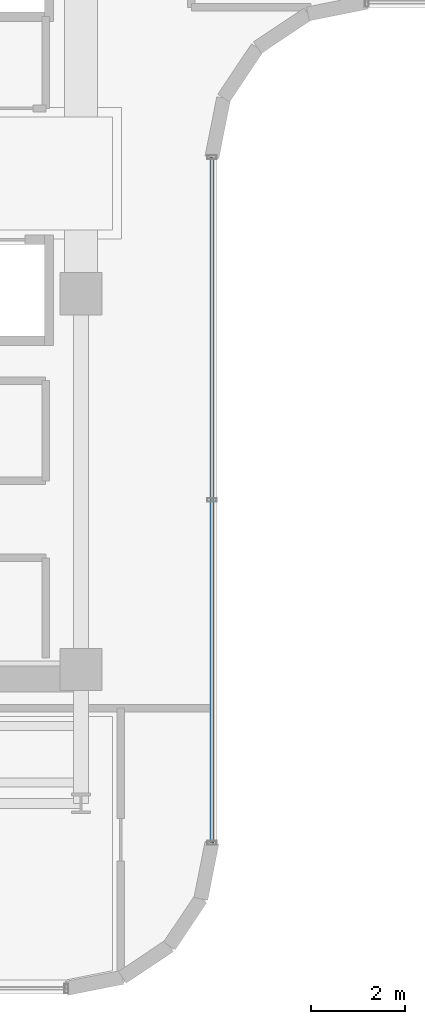
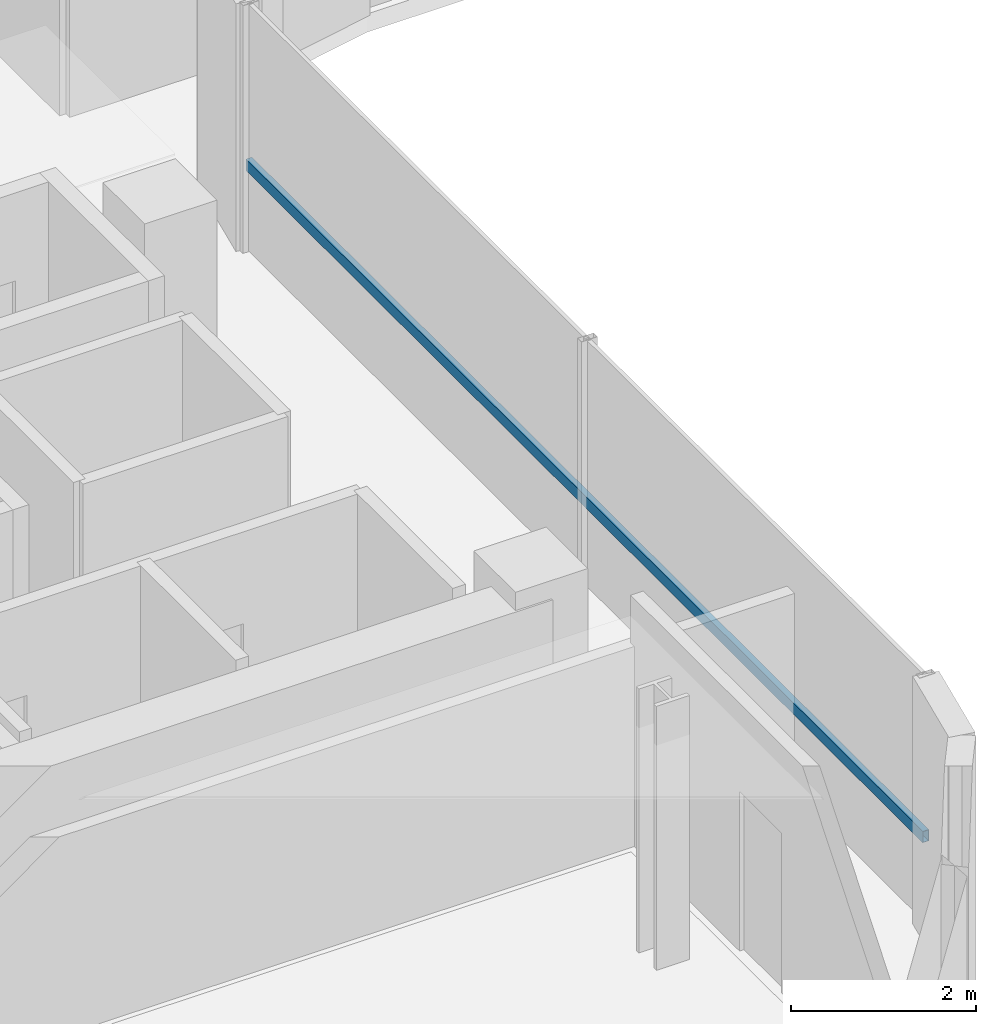
# One storey, part 6 of 22: 1 member, 1 element without a shape of its own.
"""IFC4 building model written with IfcOpenShell, lengths in metres."""

from ifc_helpers import new_model, si_unit, direction, frame, origin, origin_2d, place, context, subcontext, project, spatial, hollow_rectangle, extrude, source, transform, mapped, material, material_profile, profile_set, type_object, element, aggregate, save


model = new_model("IFC4")

# Units and contexts
model_context = context("Model", 3, precision=1e-05, world=origin(), true_north=direction((0.0, 1.0)))
body_context = subcontext(model_context, "Body", "Model", "MODEL_VIEW")
ifc_project = project(units=[si_unit("LENGTHUNIT", "METRE"), si_unit("AREAUNIT", "SQUARE_METRE"), si_unit("VOLUMEUNIT", "CUBIC_METRE"), si_unit("PLANEANGLEUNIT", "RADIAN"), si_unit("MASSUNIT", "GRAM", prefix="KILO")], contexts=[model_context])

# Site, building, storey
site_placement = place(None, origin())
site = spatial("IfcSite", under=ifc_project, at=site_placement, CompositionType="ELEMENT")
building_placement = place(site_placement, origin())
building = spatial("IfcBuilding", under=site, at=building_placement, Name="Valdorenza Pilgrim Sanctuary Tower", CompositionType="ELEMENT")
storey_placement = place(building_placement, frame((0.0, 0.0, 209.0)))
storey = spatial("IfcBuildingStorey", under=building, at=storey_placement, Name="L53", CompositionType="ELEMENT", Elevation=209.0)

# Curtain wall, member
ifc_material_1 = material(Name="Curtain-wall IGU glazing", Category="glass")
curtain_wall_type = type_object("IfcCurtainWallType", Name="CW-SYS-02", PredefinedType="NOTDEFINED", material=ifc_material_1)
curtain_wall_placement = place(storey_placement, origin())
curtain_wall = element("IfcCurtainWall", 1, at=curtain_wall_placement, inside=storey, type_object=curtain_wall_type, Name="L53 Curtain Wall CW-L53-1-21", PredefinedType="NOTDEFINED")
ifc_material_2 = material(Name="Anodised aluminium AW-6060", Category="aluminium")
ifc_material_profile = material_profile(ifc_material_2, hollow_rectangle(XDim=0.074951171875, YDim=0.14990234375, WallThickness=0.00390625, at=origin_2d()), Name="ALU-T 150x75x4")
ifc_profile_set = profile_set([ifc_material_profile], Name="Anodised aluminium AW-6060")
member_type = type_object("IfcMemberType", Name="CW-TRN-02", PredefinedType="USERDEFINED", material=ifc_profile_set)
shared_shape = source(origin(), body_context, "Body", "SweptSolid", [
    extrude(hollow_rectangle(XDim=0.074951171875, YDim=0.14990234375, WallThickness=0.00390625, at=origin_2d()), origin(), (0.0, 0.0, 1.0), 14.60009765625),
])
member_placement = place(storey_placement, frame((-9.610107421875, 0.310791015625, 1.1201171875), z_axis=(0.0, -1.0, 0.0), x_axis=(1.0, 0.0, 0.0)))
member = element("IfcMember", 2, at=member_placement, type_object=member_type, Name="CW-L53-1-21 Transom 1", ObjectType="TRANSOM", PredefinedType="USERDEFINED", context=body_context, shape_type="MappedRepresentation", body=[
    mapped(shared_shape, transform((0.0, 0.0, 0.0), x_axis=(1.0, 0.0, 0.0), y_axis=(0.0, 1.0, 0.0), z_axis=(0.0, 0.0, 1.0), scale=1.0)),
])
aggregate(curtain_wall, [member])

save(model, "model.ifc")
